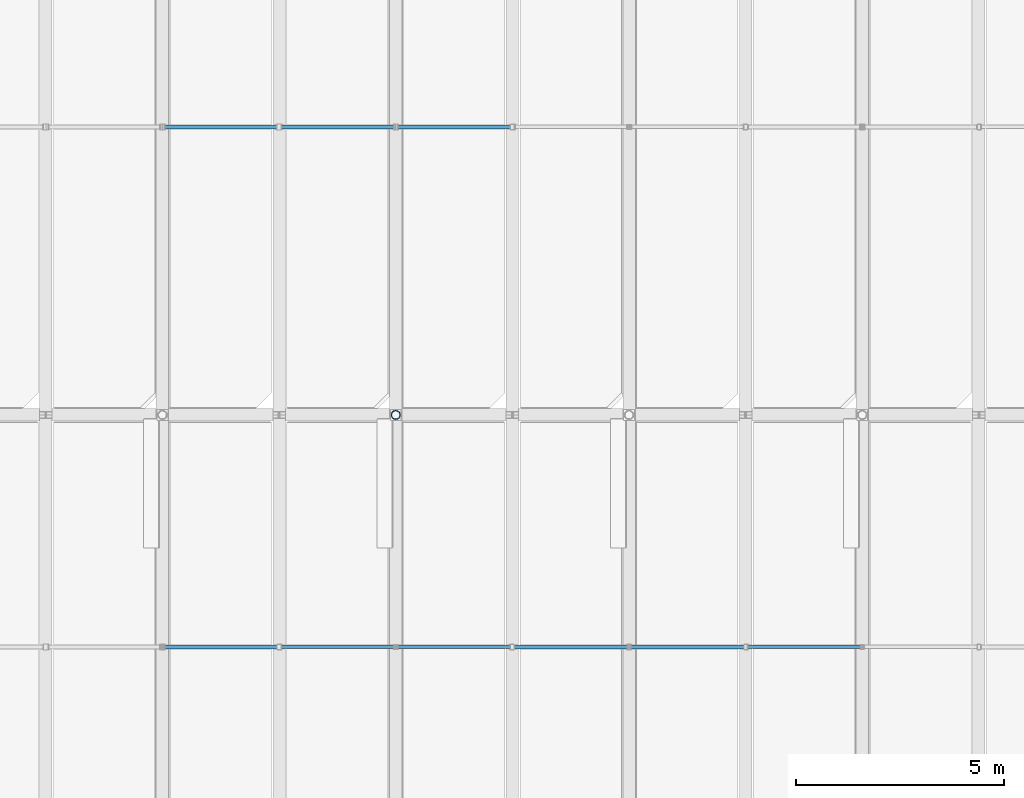
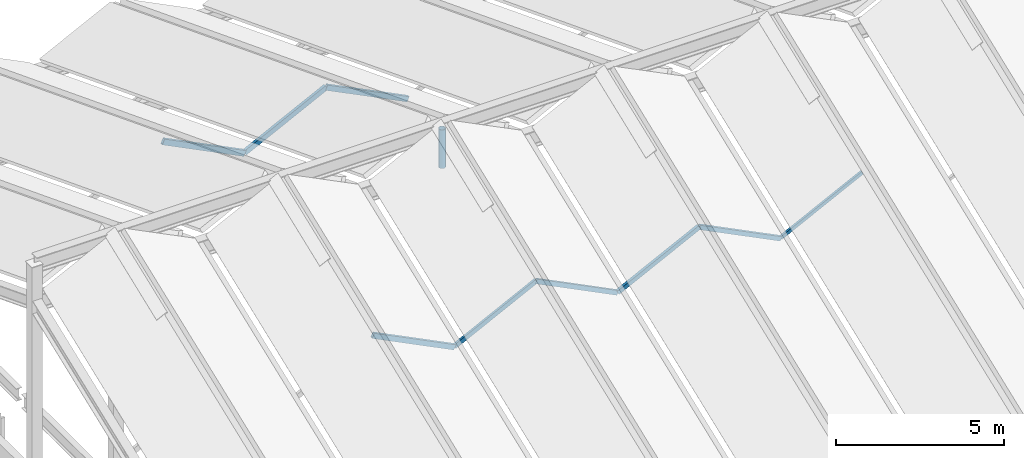
# One storey, part 15 of 49: 10 members.
"""IFC4 building model written with IfcOpenShell, lengths in metres."""

import ifcopenshell
import ifcopenshell.guid

model = None  # the IFC model being written
_history = None  # IfcOwnerHistory: only IFC2X3 demands one
_inside = {}  # id of a spatial element -> (the spatial element, [elements in it])
_under = {}  # id of a project, library or spatial element -> (it, [spatial elements below it])
_declared = {}  # id of a project -> (the project, [libraries it declares])
_typed = {}  # id of a type object -> (the type object, [elements of that type])
_made_of = {}  # id of a material, layer set ... -> (it, [elements and type objects made of it])


def new_model(schema):
    """Start an empty IFC model of exactly this schema.

    Asked for "IFC4X3", IfcOpenShell would pick the latest addendum, in which some entities
    have other attributes; the version numbers below select the first issue.
    IFC2X3 requires an IfcOwnerHistory on every rooted entity: one is made here for all.
    """
    global model, _history
    if schema == "IFC4X3":
        model = ifcopenshell.file(schema_version=(4, 3, 0, 0))
    else:
        model = ifcopenshell.file(schema=schema)
    _inside.clear()
    _under.clear()
    _declared.clear()
    _typed.clear()
    _made_of.clear()
    _history = None
    if model.schema == "IFC2X3":
        org = make("IfcOrganization", Name="unknown")
        user = make(
            "IfcPersonAndOrganization",
            ThePerson=make("IfcPerson", FamilyName="unknown"),
            TheOrganization=org,
        )
        app = make(
            "IfcApplication",
            ApplicationDeveloper=org,
            Version="unknown",
            ApplicationFullName="unknown",
            ApplicationIdentifier="unknown",
        )
        _history = make(
            "IfcOwnerHistory",
            OwningUser=user,
            OwningApplication=app,
            ChangeAction="ADDED",
            CreationDate=0,
        )
    return model


def make(cls, **values):
    """One entity of the class cls with the attributes given. An attribute that is None is left unset."""
    return model.create_entity(
        cls, **{name: value for name, value in values.items() if value is not None}
    )


def rooted(cls, **values):
    """An entity with a GlobalId (a new one), such as an element, a storey or a relation."""
    return make(cls, GlobalId=ifcopenshell.guid.new(), OwnerHistory=_history, **values)


def si_unit(unit_type, name, prefix=None):
    """IfcSIUnit, for example si_unit("LENGTHUNIT", "METRE", prefix="MILLI")."""
    return make("IfcSIUnit", UnitType=unit_type, Prefix=prefix, Name=name)


def assignment(units):
    """IfcUnitAssignment: the units of a project."""
    return None if units is None else make("IfcUnitAssignment", Units=units)


def point(xyz):
    """IfcCartesianPoint."""
    return None if xyz is None else make("IfcCartesianPoint", Coordinates=xyz)


def direction(xyz):
    """IfcDirection."""
    return None if xyz is None else make("IfcDirection", DirectionRatios=xyz)


def frame(location, z_axis=None, x_axis=None):
    """IfcAxis2Placement3D, a coordinate frame: its origin and axes. An axis left out is left unset."""
    return make(
        "IfcAxis2Placement3D",
        Location=point(location),
        Axis=direction(z_axis),
        RefDirection=direction(x_axis),
    )


def frame_2d(location, x_axis=None):
    """IfcAxis2Placement2D, a coordinate frame in the plane: its origin and x axis."""
    return make(
        "IfcAxis2Placement2D", Location=point(location), RefDirection=direction(x_axis)
    )


def origin():
    """The frame at (0, 0, 0) with its axes left unset."""
    return frame((0.0, 0.0, 0.0))


def origin_2d():
    """The frame at (0, 0) in the plane with its x axis left unset."""
    return frame_2d((0.0, 0.0))


def place(relative_to, where):
    """IfcLocalPlacement: puts the frame where relative to a parent placement (None: the world)."""
    return make(
        "IfcLocalPlacement", PlacementRelTo=relative_to, RelativePlacement=where
    )


def context(
    kind, dimensions, precision=None, world=None, true_north=None, identifier=None
):
    """IfcGeometricRepresentationContext, for example the 3D "Model" context."""
    return make(
        "IfcGeometricRepresentationContext",
        ContextIdentifier=identifier,
        ContextType=kind,
        CoordinateSpaceDimension=dimensions,
        Precision=precision,
        WorldCoordinateSystem=world,
        TrueNorth=true_north,
    )


def subcontext(parent, identifier, kind, view, scale=None):
    """IfcGeometricRepresentationSubContext, for example "Body" below "Model"."""
    return make(
        "IfcGeometricRepresentationSubContext",
        ContextIdentifier=identifier,
        ContextType=kind,
        ParentContext=parent,
        TargetScale=scale,
        TargetView=view,
    )


def project(units=None, contexts=None):
    """IfcProject with its units and contexts."""
    return rooted(
        "IfcProject",
        Name="project",
        RepresentationContexts=contexts,
        UnitsInContext=assignment(units),
    )


def spatial(cls, under=None, at=None, **own):
    """A site, building, storey or space (cls), placed at a placement, below another one or the project."""
    s = rooted(cls, ObjectPlacement=at, **own)
    if under is not None:
        _under.setdefault(under.id(), (under, []))[1].append(s)
    return s


def profile(cls, at=None, kind="AREA", **sizes):
    """A parametric profile (cls). Its sizes go by their IFC names, for example OverallWidth=200.0."""
    return make(cls, ProfileType=kind, Position=at, **sizes)


def hollow_rectangle(**sizes):
    """IfcRectangleHollowProfileDef."""
    return profile("IfcRectangleHollowProfileDef", **sizes)


def hollow_circle(**sizes):
    """IfcCircleHollowProfileDef."""
    return profile("IfcCircleHollowProfileDef", **sizes)


def extrude(swept, where, along, depth):
    """IfcExtrudedAreaSolid: the profile swept, set in the frame where, extruded along a direction by depth."""
    return make(
        "IfcExtrudedAreaSolid",
        SweptArea=swept,
        Position=where,
        ExtrudedDirection=direction(along),
        Depth=depth,
    )


def shape(context_of_items, identifier, shape_type, items):
    """IfcShapeRepresentation: the items that make up one representation, for example the "Body"."""
    return make(
        "IfcShapeRepresentation",
        ContextOfItems=context_of_items,
        RepresentationIdentifier=identifier,
        RepresentationType=shape_type,
        Items=items,
    )


def material(Name=None, Category=None):
    """IfcMaterial."""
    return make("IfcMaterial", Name=Name, Category=Category)


def material_profile(
    of_material, cross_section, Name=None, Category=None, Priority=None
):
    """IfcMaterialProfile: a cross section and its material."""
    return make(
        "IfcMaterialProfile",
        Name=Name,
        Material=of_material,
        Profile=cross_section,
        Priority=Priority,
        Category=Category,
    )


def profile_set(profiles, Name=None, composite=None):
    """IfcMaterialProfileSet."""
    return make(
        "IfcMaterialProfileSet",
        Name=Name,
        MaterialProfiles=profiles,
        CompositeProfile=composite,
    )


def made_of(thing, what):
    """Note that an element or type object is made of a material, layer set ...; save() writes the relation."""
    if what is not None:
        _made_of.setdefault(what.id(), (what, []))[1].append(thing)
    return thing


def type_object(cls, material=None, **own):
    """A type object (cls), such as IfcWallType, which elements share."""
    return made_of(rooted(cls, **own), material)


def element(
    cls,
    number,
    at=None,
    inside=None,
    cuts=None,
    type_object=None,
    material=None,
    context=None,
    identifier="Body",
    shape_type=None,
    held_by="IfcProductDefinitionShape",
    body=None,
    shapes=None,
    **own,
):
    """One element of the class cls, such as IfcWall. Its Tag is "e" and its number.

    at: its placement. inside: the storey or other place that contains it. cuts: it is an
    opening in that element (IfcRelVoidsElement). A single representation is given by context,
    identifier, shape_type and body (its items); several are given by shapes. held_by: the class
    of the entity that holds the representations. save() writes the other relations.
    """
    e = rooted(cls, Tag="e%d" % number, ObjectPlacement=at, **own)
    if body is not None:
        shapes = [shape(context, identifier, shape_type, body)]
    if shapes is not None:
        e.Representation = make(held_by, Representations=shapes)
    if inside is not None:
        _inside.setdefault(inside.id(), (inside, []))[1].append(e)
    if cuts is not None:
        rooted(
            "IfcRelVoidsElement", RelatingBuildingElement=cuts, RelatedOpeningElement=e
        )
    if type_object is not None:
        _typed.setdefault(type_object.id(), (type_object, []))[1].append(e)
    return made_of(e, material)


def aggregate(whole, parts):
    """IfcRelAggregates: a whole, such as a stair, and the parts it consists of."""
    return rooted("IfcRelAggregates", RelatingObject=whole, RelatedObjects=parts)


def save(model, path):
    """Write the relations noted so far, then the file.

    IfcRelAggregates (storeys below a building ...), IfcRelContainedInSpatialStructure (elements
    in a storey), IfcRelDefinesByType, IfcRelAssociatesMaterial and IfcRelDeclares: one each for
    every whole, place, type object, material and project.
    """
    for whole, parts in _under.values():
        aggregate(whole, parts)
    for where, things in _inside.values():
        rooted(
            "IfcRelContainedInSpatialStructure",
            RelatedElements=things,
            RelatingStructure=where,
        )
    for kind, things in _typed.values():
        rooted("IfcRelDefinesByType", RelatedObjects=things, RelatingType=kind)
    for what, things in _made_of.values():
        rooted("IfcRelAssociatesMaterial", RelatedObjects=things, RelatingMaterial=what)
    for by, libraries in _declared.values():
        rooted("IfcRelDeclares", RelatingContext=by, RelatedDefinitions=libraries)
    model.write(path)


model = new_model("IFC4")

# Units and contexts
model_context = context("Model", 3, precision=1e-05, world=origin(), true_north=direction((0.0, 1.0)))
body_context = subcontext(model_context, "Body", "Model", "MODEL_VIEW")
ifc_project = project(units=[si_unit("LENGTHUNIT", "METRE"), si_unit("AREAUNIT", "SQUARE_METRE"), si_unit("VOLUMEUNIT", "CUBIC_METRE"), si_unit("PLANEANGLEUNIT", "RADIAN"), si_unit("MASSUNIT", "GRAM", prefix="KILO")], contexts=[model_context])

# Site, building, storey
site_placement = place(None, origin())
site = spatial("IfcSite", under=ifc_project, at=site_placement, CompositionType="ELEMENT")
building_placement = place(site_placement, origin())
building = spatial("IfcBuilding", under=site, at=building_placement, Name="Vinh Khe Railworks Police Headquarters", CompositionType="ELEMENT")
storey_placement = place(building_placement, frame((0.0, 0.0, 17.10009765625)))
storey = spatial("IfcBuildingStorey", under=building, at=storey_placement, Name="L04", CompositionType="ELEMENT", Elevation=17.10009765625)

# Members
ifc_material = material(Name="Steel S355JR", Category="steel")
ifc_material_profile_1 = material_profile(ifc_material, hollow_rectangle(XDim=0.080078125, YDim=0.1201171875, WallThickness=0.00634765625, at=origin_2d()), Name="RHS 120x80x6.3")
ifc_profile_set_1 = profile_set([ifc_material_profile_1], Name="Steel S355JR")
member_type_1 = type_object("IfcMemberType", Name="Roof Purlin RHS 120x80x6.3", PredefinedType="PURLIN", material=ifc_profile_set_1)
member_1_placement = place(storey_placement, frame((46.0, 36.432861328125, 5.260009765625), z_axis=(0.894442788028, 0.0, 0.447182400083), x_axis=(0.0, 1.0, 0.0)))
element("IfcMember", 1, at=member_1_placement, inside=storey, type_object=member_type_1, Name="Folded Roof Purlin 034", PredefinedType="PURLIN", context=body_context, shape_type="SweptSolid", body=[
    extrude(hollow_rectangle(XDim=0.080078125, YDim=0.1201171875, WallThickness=0.00634765625, at=origin_2d()), origin(), (0.0, 0.0, 1.0), 3.130615234375),
])
ifc_material_profile_2 = material_profile(ifc_material, hollow_rectangle(XDim=0.10009765625, YDim=0.14990234375, WallThickness=0.008056640625, at=origin_2d()), Name="RHS 150x100x8")
ifc_profile_set_2 = profile_set([ifc_material_profile_2], Name="Steel S355JR")
member_type_2 = type_object("IfcMemberType", Name="Roof Purlin RHS 150x100x8", PredefinedType="PURLIN", material=ifc_profile_set_2)
for number, where, z_axis, x_axis, name in (
    (2, (40.39990234375, 36.432861328125, 5.2451171875), (0.894442788028, 0.0, 0.447182400083), (0.0, 1.0, 0.0), "Folded Roof Purlin 026"),
    (3, (43.199951171875, 36.432861328125, 6.64501953125), (0.894442788028, 0.0, -0.447182400083), (0.0, 1.0, 0.0), "Folded Roof Purlin 030"),
):
    element("IfcMember", number, at=place(storey_placement, frame(where, z_axis=z_axis, x_axis=x_axis)), inside=storey, type_object=member_type_2, Name=name, PredefinedType="PURLIN", context=body_context, shape_type="SweptSolid", body=[
        extrude(hollow_rectangle(XDim=0.10009765625, YDim=0.14990234375, WallThickness=0.008056640625, at=origin_2d()), origin(), (0.0, 0.0, 1.0), 3.130615234375),
    ])
ifc_material_profile_3 = material_profile(ifc_material, hollow_rectangle(XDim=0.080078125, YDim=0.159912109375, WallThickness=0.008056640625, at=origin_2d()), Name="RHS 160x80x8")
ifc_profile_set_3 = profile_set([ifc_material_profile_3], Name="Steel S355JR")
member_type_3 = type_object("IfcMemberType", Name="Roof Purlin RHS 160x80x8", PredefinedType="PURLIN", material=ifc_profile_set_3)
member_2_placement = place(storey_placement, frame((34.800048828125, 36.432861328125, 5.239990234375), z_axis=(0.894411593428, 0.0, 0.447244789285), x_axis=(0.0, 1.0, 0.0)))
element("IfcMember", 4, at=member_2_placement, inside=storey, type_object=member_type_3, Name="Folded Roof Purlin 018", PredefinedType="PURLIN", context=body_context, shape_type="SweptSolid", body=[
    extrude(hollow_rectangle(XDim=0.080078125, YDim=0.159912109375, WallThickness=0.008056640625, at=origin_2d()), origin(), (0.0, 0.0, 1.0), 3.130615234375),
])
member_3_placement = place(storey_placement, frame((37.60009765625, 36.432861328125, 6.64013671875), z_axis=(0.894395992591, 0.0, -0.447275986877), x_axis=(0.0, 1.0, 0.0)))
element("IfcMember", 5, at=member_3_placement, inside=storey, type_object=member_type_3, Name="Folded Roof Purlin 022", PredefinedType="PURLIN", context=body_context, shape_type="SweptSolid", body=[
    extrude(hollow_rectangle(XDim=0.080078125, YDim=0.159912109375, WallThickness=0.008056640625, at=origin_2d()), origin(), (0.0, 0.0, 1.0), 3.13037109375),
])
ifc_material_profile_4 = material_profile(ifc_material, hollow_rectangle(XDim=0.10009765625, YDim=0.179931640625, WallThickness=0.008056640625, at=origin_2d()), Name="RHS 180x100x8")
ifc_profile_set_4 = profile_set([ifc_material_profile_4], Name="Steel S355JR")
member_type_4 = type_object("IfcMemberType", Name="Roof Purlin RHS 180x100x8", PredefinedType="PURLIN", material=ifc_profile_set_4)
for number, where, z_axis, x_axis, name in (
    (6, (32.0, 36.432861328125, 6.630126953125), (0.894411593428, 0.0, -0.447244789285), (0.0, 1.0, 0.0), "Folded Roof Purlin 014"),
    (7, (34.800048828125, 48.9140625, 4.707763671875), (0.894411593428, 0.0, 0.447244789285), (0.0, 1.0, 0.0), "Folded Roof Purlin 019"),
):
    element("IfcMember", number, at=place(storey_placement, frame(where, z_axis=z_axis, x_axis=x_axis)), inside=storey, type_object=member_type_4, Name=name, PredefinedType="PURLIN", context=body_context, shape_type="SweptSolid", body=[
        extrude(hollow_rectangle(XDim=0.10009765625, YDim=0.179931640625, WallThickness=0.008056640625, at=origin_2d()), origin(), (0.0, 0.0, 1.0), 3.130615234375),
    ])
member_4_placement = place(storey_placement, frame((37.60009765625, 48.9140625, 6.10791015625), z_axis=(0.894395992591, 0.0, -0.447275986877), x_axis=(0.0, 1.0, 0.0)))
element("IfcMember", 8, at=member_4_placement, inside=storey, type_object=member_type_4, Name="Folded Roof Purlin 023", PredefinedType="PURLIN", context=body_context, shape_type="SweptSolid", body=[
    extrude(hollow_rectangle(XDim=0.10009765625, YDim=0.179931640625, WallThickness=0.008056640625, at=origin_2d()), origin(), (0.0, 0.0, 1.0), 3.13037109375),
])
ifc_material_profile_5 = material_profile(ifc_material, hollow_rectangle(XDim=0.10009765625, YDim=0.199951171875, WallThickness=0.008056640625, at=origin_2d()), Name="RHS 200x100x8")
ifc_profile_set_5 = profile_set([ifc_material_profile_5], Name="Steel S355JR")
member_type_5 = type_object("IfcMemberType", Name="Roof Purlin RHS 200x100x8", PredefinedType="PURLIN", material=ifc_profile_set_5)
member_5_placement = place(storey_placement, frame((32.0, 48.9140625, 6.097900390625), z_axis=(0.894411593428, 0.0, -0.447244789285), x_axis=(0.0, 1.0, 0.0)))
element("IfcMember", 9, at=member_5_placement, inside=storey, type_object=member_type_5, Name="Folded Roof Purlin 015", PredefinedType="PURLIN", context=body_context, shape_type="SweptSolid", body=[
    extrude(hollow_rectangle(XDim=0.10009765625, YDim=0.199951171875, WallThickness=0.008056640625, at=origin_2d()), origin(), (0.0, 0.0, 1.0), 3.130615234375),
])
ifc_material_profile_6 = material_profile(ifc_material, hollow_circle(Radius=0.109619140625, WallThickness=0.012451171875, at=origin_2d()), Name="CHS 219.1x12.5")
ifc_profile_set_6 = profile_set([ifc_material_profile_6], Name="Steel S355JR")
member_type_6 = type_object("IfcMemberType", Name="Roof Strut CHS 219.1x12.5", PredefinedType="STRUT", material=ifc_profile_set_6)
member_6_placement = place(storey_placement, frame((37.60009765625, 42.0, 7.40869140625), z_axis=(0.0, 0.0, 1.0), x_axis=(1.0, 0.0, 0.0)))
element("IfcMember", 10, at=member_6_placement, inside=storey, type_object=member_type_6, Name="Folded Roof Strut 3M", PredefinedType="STRUT", context=body_context, shape_type="SweptSolid", body=[
    extrude(hollow_circle(Radius=0.109619140625, WallThickness=0.012451171875, at=origin_2d()), origin(), (0.0, 0.0, 1.0), 1.400146484375),
])

save(model, "model.ifc")
